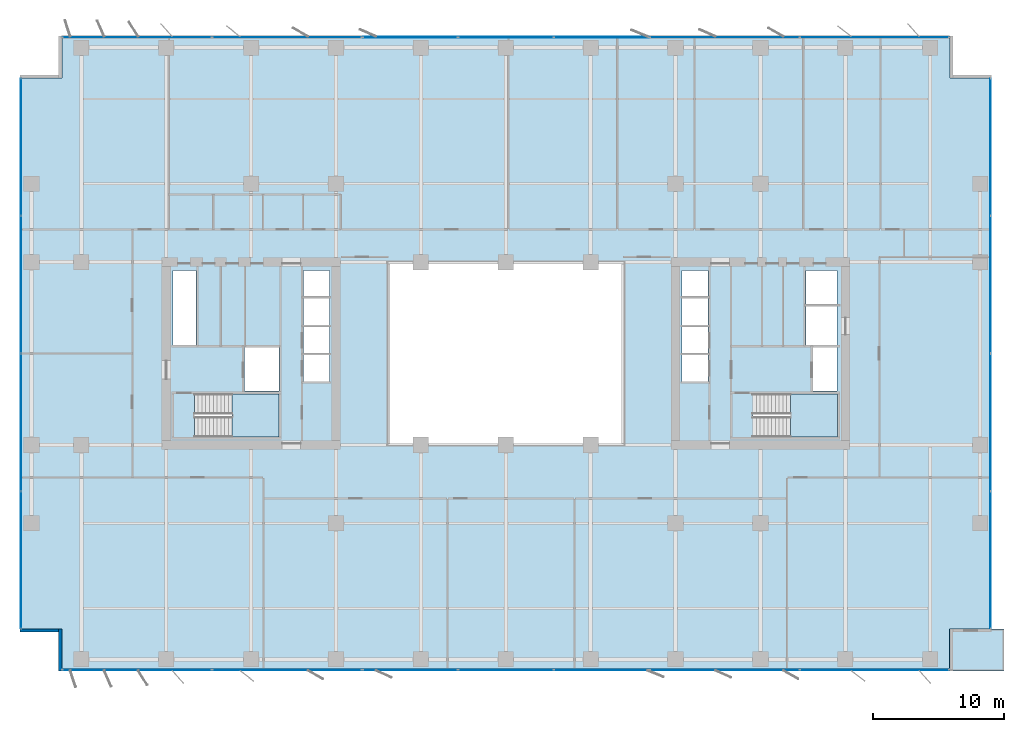
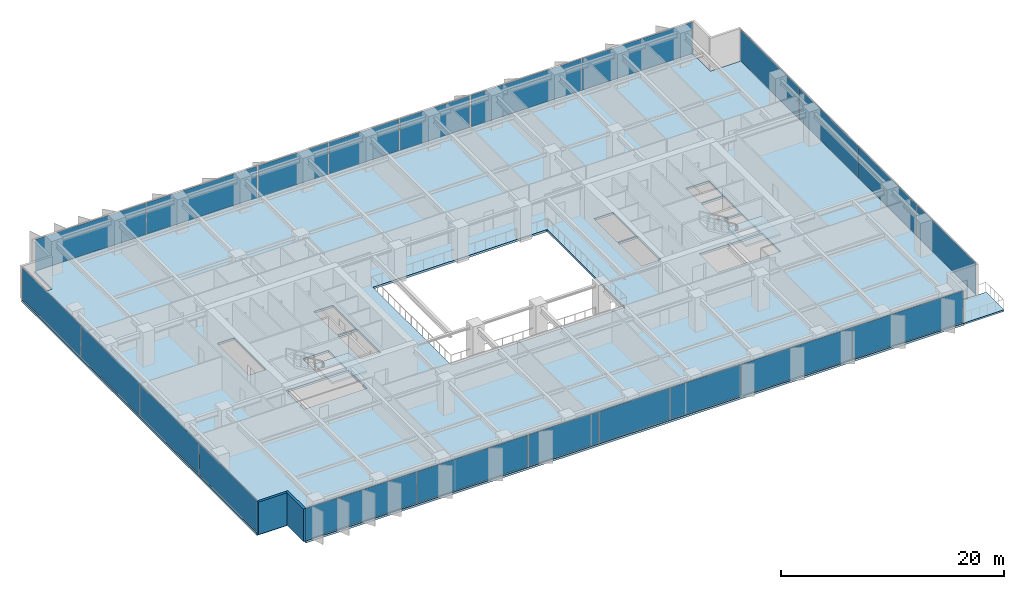
# One storey, part 12 of 20: 22 plates, 4 slabs, 2 walls, 10 elements without a shape of their own.
"""IFC4 building model written with IfcOpenShell, lengths in metres."""

from ifc_helpers import new_model, si_unit, direction, frame, frame_2d, origin, origin_2d, place, context, subcontext, project, spatial, polyline, rectangle, outline, extrude, material, layer, layer_set, type_object, element, aggregate, save


model = new_model("IFC4")

# Units and contexts
model_context = context("Model", 3, precision=1e-05, world=origin(), true_north=direction((0.0, 1.0)))
body_context = subcontext(model_context, "Body", "Model", "MODEL_VIEW")
ifc_project = project(units=[si_unit("LENGTHUNIT", "METRE"), si_unit("AREAUNIT", "SQUARE_METRE"), si_unit("VOLUMEUNIT", "CUBIC_METRE"), si_unit("PLANEANGLEUNIT", "RADIAN"), si_unit("MASSUNIT", "GRAM", prefix="KILO")], contexts=[model_context])

# Site, building, storey
site_placement = place(None, origin())
site = spatial("IfcSite", under=ifc_project, at=site_placement, CompositionType="ELEMENT")
building_placement = place(site_placement, origin())
building = spatial("IfcBuilding", under=site, at=building_placement, Name="Putna Gate Headquarters", CompositionType="ELEMENT")
storey_placement = place(building_placement, frame((0.0, 0.0, 108.800048828125)))
storey = spatial("IfcBuildingStorey", under=building, at=storey_placement, Name="L26", CompositionType="ELEMENT", Elevation=108.800048828125)

# Stair, slab
ifc_material_1 = material(Name="Concrete C40/50", Category="concrete")
stair_type_1 = type_object("IfcStairType", Name="STAIR-ST1", PredefinedType="HALF_TURN_STAIR", material=ifc_material_1)
stair_1_placement = place(storey_placement, origin())
stair_1 = element("IfcStair", 1, at=stair_1_placement, inside=storey, type_object=stair_type_1, Name="L26 West Core Exit Stair ST1", PredefinedType="HALF_TURN_STAIR")
ifc_layer_1 = layer(ifc_material_1, 0.199951171875)
ifc_layer_set_1 = layer_set([ifc_layer_1], Name="Concrete C40/50")
slab_type_1 = type_object("IfcSlabType", Name="LANDING-ST1", PredefinedType="LANDING", material=ifc_layer_set_1)
slab_1_placement = place(storey_placement, frame((0.0, 0.0, 1.699951171875)))
slab_1 = element("IfcSlab", 2, at=slab_1_placement, type_object=slab_type_1, Name="ST1 landing 1", PredefinedType="LANDING", context=body_context, shape_type="SweptSolid", body=[
    extrude(outline(polyline([(18.050048828125, 19.60009765625), (21.64990234375, 19.60009765625), (21.64990234375, 22.89990234375), (18.050048828125, 22.89990234375), (18.050048828125, 19.60009765625)])), origin(), (0.0, 0.0, 1.0), 0.199951171875),
])
aggregate(stair_1, [slab_1])

stair_type_2 = type_object("IfcStairType", Name="STAIR-ST2", PredefinedType="HALF_TURN_STAIR", material=ifc_material_1)
stair_2_placement = place(storey_placement, origin())
stair_2 = element("IfcStair", 3, at=stair_2_placement, inside=storey, type_object=stair_type_2, Name="L26 East Core Exit Stair ST2", PredefinedType="HALF_TURN_STAIR")
ifc_layer_2 = layer(ifc_material_1, 0.199951171875)
ifc_layer_set_2 = layer_set([ifc_layer_2], Name="Concrete C40/50")
slab_type_2 = type_object("IfcSlabType", Name="LANDING-ST2", PredefinedType="LANDING", material=ifc_layer_set_2)
slab_2_placement = place(storey_placement, frame((0.0, 0.0, 1.699951171875)))
slab_2 = element("IfcSlab", 4, at=slab_2_placement, type_object=slab_type_2, Name="ST2 landing 1", PredefinedType="LANDING", context=body_context, shape_type="SweptSolid", body=[
    extrude(outline(polyline([(60.800048828125, 19.60009765625), (64.39990234375, 19.60009765625), (64.39990234375, 22.89990234375), (60.800048828125, 22.89990234375), (60.800048828125, 19.60009765625)])), origin(), (0.0, 0.0, 1.0), 0.199951171875),
])
aggregate(stair_2, [slab_2])

# Curtain wall, plates
ifc_material_2 = material(Name="Anodised bronze aluminium curtain wall", Category="aluminium")
ifc_layer_3 = layer(ifc_material_2, 0.159912109375)
ifc_layer_set_3 = layer_set([ifc_layer_3], Name="Anodised bronze aluminium curtain wall")
curtain_wall_type_1 = type_object("IfcCurtainWallType", Name="CW-SYS-Z2", PredefinedType="USERDEFINED", material=ifc_layer_set_3)
curtain_wall_1_placement = place(storey_placement, origin())
curtain_wall_1 = element("IfcCurtainWall", 5, at=curtain_wall_1_placement, inside=storey, type_object=curtain_wall_type_1, Name="L26 South West Curtain Wall", ObjectType="STICK CURTAIN WALL", PredefinedType="USERDEFINED")
ifc_material_3 = material(Name="Solar-control triple low-E glass", Category="glass")
ifc_layer_4 = layer(ifc_material_3, 0.030029296875)
ifc_layer_set_4 = layer_set([ifc_layer_4], Name="Solar-control triple low-E glass")
plate_type_1 = type_object("IfcPlateType", Name="PAN-CWP-2", PredefinedType="CURTAIN_PANEL", material=ifc_layer_set_4)
plate_1_placement = place(storey_placement, frame((10.766357421875, 1.780029296875, 0.06494140625), z_axis=(0.0, 0.0, 1.0), x_axis=(1.0, 0.0, 0.0)))
plate_1 = element("IfcPlate", 6, at=plate_1_placement, type_object=plate_type_1, Name="CWS-2 panel 1.1", PredefinedType="CURTAIN_PANEL", context=body_context, shape_type="SweptSolid", body=[
    extrude(rectangle(XDim=11.402587890625, YDim=0.030029296875, at=origin_2d()), origin(), (0.0, 0.0, 1.0), 3.43505859375),
])
plate_2_placement = place(storey_placement, frame((22.233642578125, 1.780029296875, 0.06494140625), z_axis=(0.0, 0.0, 1.0), x_axis=(1.0, 0.0, 0.0)))
plate_2 = element("IfcPlate", 7, at=plate_2_placement, type_object=plate_type_1, Name="CWS-2 panel 2.1", PredefinedType="CURTAIN_PANEL", context=body_context, shape_type="SweptSolid", body=[
    extrude(rectangle(XDim=11.402587890625, YDim=0.030029296875, at=origin_2d()), origin(), (0.0, 0.0, 1.0), 3.43505859375),
])
aggregate(curtain_wall_1, [plate_1, plate_2])

curtain_wall_2_placement = place(storey_placement, origin())
curtain_wall_2 = element("IfcCurtainWall", 8, at=curtain_wall_2_placement, inside=storey, type_object=curtain_wall_type_1, Name="L26 South East Curtain Wall", ObjectType="STICK CURTAIN WALL", PredefinedType="USERDEFINED")
plate_3_placement = place(storey_placement, frame((55.766357421875, 1.780029296875, 0.06494140625), z_axis=(0.0, 0.0, 1.0), x_axis=(1.0, 0.0, 0.0)))
plate_3 = element("IfcPlate", 9, at=plate_3_placement, type_object=plate_type_1, Name="CWS-2 panel 1.1", PredefinedType="CURTAIN_PANEL", context=body_context, shape_type="SweptSolid", body=[
    extrude(rectangle(XDim=11.402587890625, YDim=0.030029296875, at=origin_2d()), origin(), (0.0, 0.0, 1.0), 3.43505859375),
])
plate_4_placement = place(storey_placement, frame((67.233642578125, 1.780029296875, 0.06494140625), z_axis=(0.0, 0.0, 1.0), x_axis=(1.0, 0.0, 0.0)))
plate_4 = element("IfcPlate", 10, at=plate_4_placement, type_object=plate_type_1, Name="CWS-2 panel 2.1", PredefinedType="CURTAIN_PANEL", context=body_context, shape_type="SweptSolid", body=[
    extrude(rectangle(XDim=11.402587890625, YDim=0.030029296875, at=origin_2d()), origin(), (0.0, 0.0, 1.0), 3.43505859375),
])
aggregate(curtain_wall_2, [plate_3, plate_4])

curtain_wall_3_placement = place(storey_placement, origin())
curtain_wall_3 = element("IfcCurtainWall", 11, at=curtain_wall_3_placement, inside=storey, type_object=curtain_wall_type_1, Name="L26 North West Curtain Wall", ObjectType="STICK CURTAIN WALL", PredefinedType="USERDEFINED")
plate_5_placement = place(storey_placement, frame((10.766357421875, 50.219970703125, 0.06494140625), z_axis=(0.0, 0.0, 1.0), x_axis=(1.0, 0.0, 0.0)))
plate_5 = element("IfcPlate", 12, at=plate_5_placement, type_object=plate_type_1, Name="CWS-2 panel 1.1", PredefinedType="CURTAIN_PANEL", context=body_context, shape_type="SweptSolid", body=[
    extrude(rectangle(XDim=11.402587890625, YDim=0.030029296875, at=origin_2d()), origin(), (0.0, 0.0, 1.0), 3.43505859375),
])
plate_6_placement = place(storey_placement, frame((22.233642578125, 50.219970703125, 0.06494140625), z_axis=(0.0, 0.0, 1.0), x_axis=(1.0, 0.0, 0.0)))
plate_6 = element("IfcPlate", 13, at=plate_6_placement, type_object=plate_type_1, Name="CWS-2 panel 2.1", PredefinedType="CURTAIN_PANEL", context=body_context, shape_type="SweptSolid", body=[
    extrude(rectangle(XDim=11.402587890625, YDim=0.030029296875, at=origin_2d()), origin(), (0.0, 0.0, 1.0), 3.43505859375),
])
aggregate(curtain_wall_3, [plate_5, plate_6])

curtain_wall_4_placement = place(storey_placement, origin())
curtain_wall_4 = element("IfcCurtainWall", 14, at=curtain_wall_4_placement, inside=storey, type_object=curtain_wall_type_1, Name="L26 North East Curtain Wall", ObjectType="STICK CURTAIN WALL", PredefinedType="USERDEFINED")
plate_7_placement = place(storey_placement, frame((55.766357421875, 50.219970703125, 0.06494140625), z_axis=(0.0, 0.0, 1.0), x_axis=(1.0, 0.0, 0.0)))
plate_7 = element("IfcPlate", 15, at=plate_7_placement, type_object=plate_type_1, Name="CWS-2 panel 1.1", PredefinedType="CURTAIN_PANEL", context=body_context, shape_type="SweptSolid", body=[
    extrude(rectangle(XDim=11.402587890625, YDim=0.030029296875, at=origin_2d()), origin(), (0.0, 0.0, 1.0), 3.43505859375),
])
plate_8_placement = place(storey_placement, frame((67.233642578125, 50.219970703125, 0.06494140625), z_axis=(0.0, 0.0, 1.0), x_axis=(1.0, 0.0, 0.0)))
plate_8 = element("IfcPlate", 16, at=plate_8_placement, type_object=plate_type_1, Name="CWS-2 panel 2.1", PredefinedType="CURTAIN_PANEL", context=body_context, shape_type="SweptSolid", body=[
    extrude(rectangle(XDim=11.402587890625, YDim=0.030029296875, at=origin_2d()), origin(), (0.0, 0.0, 1.0), 3.43505859375),
])
aggregate(curtain_wall_4, [plate_7, plate_8])

curtain_wall_5_placement = place(storey_placement, origin())
curtain_wall_5 = element("IfcCurtainWall", 17, at=curtain_wall_5_placement, inside=storey, type_object=curtain_wall_type_1, Name="L26 West Curtain Wall", ObjectType="STICK CURTAIN WALL", PredefinedType="USERDEFINED")
plate_9_placement = place(storey_placement, frame((1.8798828125, 10.191162109375, 0.06494140625), z_axis=(0.0, 0.0, 1.0), x_axis=(0.0, 1.0, 0.0)))
plate_9 = element("IfcPlate", 18, at=plate_9_placement, type_object=plate_type_1, Name="CWS-2 panel 1.1", PredefinedType="CURTAIN_PANEL", context=body_context, shape_type="SweptSolid", body=[
    extrude(rectangle(XDim=10.452392578125, YDim=0.030029296875, at=origin_2d()), origin(), (0.0, 0.0, 1.0), 3.43505859375),
])
plate_10_placement = place(storey_placement, frame((1.8798828125, 20.72509765625, 0.06494140625), z_axis=(0.0, 0.0, 1.0), x_axis=(0.0, 1.0, 0.0)))
plate_10 = element("IfcPlate", 19, at=plate_10_placement, type_object=plate_type_1, Name="CWS-2 panel 2.1", PredefinedType="CURTAIN_PANEL", context=body_context, shape_type="SweptSolid", body=[
    extrude(rectangle(XDim=10.485107421875, YDim=0.030029296875, at=origin_2d()), origin(), (0.0, 0.0, 1.0), 3.43505859375),
])
plate_11_placement = place(storey_placement, frame((1.8798828125, 31.27490234375, 0.06494140625), z_axis=(0.0, 0.0, 1.0), x_axis=(0.0, 1.0, 0.0)))
plate_11 = element("IfcPlate", 20, at=plate_11_placement, type_object=plate_type_1, Name="CWS-2 panel 3.1", PredefinedType="CURTAIN_PANEL", context=body_context, shape_type="SweptSolid", body=[
    extrude(rectangle(XDim=10.485107421875, YDim=0.030029296875, at=origin_2d()), origin(), (0.0, 0.0, 1.0), 3.43505859375),
])
plate_12_placement = place(storey_placement, frame((1.8798828125, 41.808837890625, 0.06494140625), z_axis=(0.0, 0.0, 1.0), x_axis=(0.0, 1.0, 0.0)))
plate_12 = element("IfcPlate", 21, at=plate_12_placement, type_object=plate_type_1, Name="CWS-2 panel 4.1", PredefinedType="CURTAIN_PANEL", context=body_context, shape_type="SweptSolid", body=[
    extrude(rectangle(XDim=10.452392578125, YDim=0.030029296875, at=origin_2d()), origin(), (0.0, 0.0, 1.0), 3.43505859375),
])
aggregate(curtain_wall_5, [plate_9, plate_10, plate_11, plate_12])

curtain_wall_6_placement = place(storey_placement, origin())
curtain_wall_6 = element("IfcCurtainWall", 22, at=curtain_wall_6_placement, inside=storey, type_object=curtain_wall_type_1, Name="L26 East Curtain Wall", ObjectType="STICK CURTAIN WALL", PredefinedType="USERDEFINED")
plate_13_placement = place(storey_placement, frame((76.1201171875, 10.191162109375, 0.06494140625), z_axis=(0.0, 0.0, 1.0), x_axis=(0.0, 1.0, 0.0)))
plate_13 = element("IfcPlate", 23, at=plate_13_placement, type_object=plate_type_1, Name="CWS-2 panel 1.1", PredefinedType="CURTAIN_PANEL", context=body_context, shape_type="SweptSolid", body=[
    extrude(rectangle(XDim=10.452392578125, YDim=0.030029296875, at=origin_2d()), origin(), (0.0, 0.0, 1.0), 3.43505859375),
])
plate_14_placement = place(storey_placement, frame((76.1201171875, 20.72509765625, 0.06494140625), z_axis=(0.0, 0.0, 1.0), x_axis=(0.0, 1.0, 0.0)))
plate_14 = element("IfcPlate", 24, at=plate_14_placement, type_object=plate_type_1, Name="CWS-2 panel 2.1", PredefinedType="CURTAIN_PANEL", context=body_context, shape_type="SweptSolid", body=[
    extrude(rectangle(XDim=10.485107421875, YDim=0.030029296875, at=origin_2d()), origin(), (0.0, 0.0, 1.0), 3.43505859375),
])
plate_15_placement = place(storey_placement, frame((76.1201171875, 31.27490234375, 0.06494140625), z_axis=(0.0, 0.0, 1.0), x_axis=(0.0, 1.0, 0.0)))
plate_15 = element("IfcPlate", 25, at=plate_15_placement, type_object=plate_type_1, Name="CWS-2 panel 3.1", PredefinedType="CURTAIN_PANEL", context=body_context, shape_type="SweptSolid", body=[
    extrude(rectangle(XDim=10.485107421875, YDim=0.030029296875, at=origin_2d()), origin(), (0.0, 0.0, 1.0), 3.43505859375),
])
plate_16_placement = place(storey_placement, frame((76.1201171875, 41.808837890625, 0.06494140625), z_axis=(0.0, 0.0, 1.0), x_axis=(0.0, 1.0, 0.0)))
plate_16 = element("IfcPlate", 26, at=plate_16_placement, type_object=plate_type_1, Name="CWS-2 panel 4.1", PredefinedType="CURTAIN_PANEL", context=body_context, shape_type="SweptSolid", body=[
    extrude(rectangle(XDim=10.452392578125, YDim=0.030029296875, at=origin_2d()), origin(), (0.0, 0.0, 1.0), 3.43505859375),
])
aggregate(curtain_wall_6, [plate_13, plate_14, plate_15, plate_16])

ifc_layer_5 = layer(ifc_material_2, 0.179931640625)
ifc_layer_set_5 = layer_set([ifc_layer_5], Name="Anodised bronze aluminium curtain wall")
curtain_wall_type_2 = type_object("IfcCurtainWallType", Name="CW-SYS-ATR", PredefinedType="USERDEFINED", material=ifc_layer_set_5)
curtain_wall_7_placement = place(storey_placement, origin())
curtain_wall_7 = element("IfcCurtainWall", 27, at=curtain_wall_7_placement, inside=storey, type_object=curtain_wall_type_2, Name="L26 South Atrium Clear Glazing", ObjectType="ATRIUM GLAZING", PredefinedType="USERDEFINED")
ifc_material_4 = material(Name="Clear low-iron triple glazing", Category="glass")
ifc_layer_6 = layer(ifc_material_4, 0.0400390625)
ifc_layer_set_6 = layer_set([ifc_layer_6], Name="Clear low-iron triple glazing")
plate_type_2 = type_object("IfcPlateType", Name="PAN-CWP-AT", PredefinedType="CURTAIN_PANEL", material=ifc_layer_set_6)
plate_17_placement = place(storey_placement, frame((31.68408203125, 1.780029296875, 0.06982421875), z_axis=(0.0, 0.0, 1.0), x_axis=(1.0, 0.0, 0.0)))
plate_17 = element("IfcPlate", 28, at=plate_17_placement, type_object=plate_type_2, Name="CWS-AT panel 1.1", PredefinedType="CURTAIN_PANEL", context=body_context, shape_type="SweptSolid", body=[
    extrude(rectangle(XDim=7.228271484375, YDim=0.0400390625, at=origin_2d()), origin(), (0.0, 0.0, 1.0), 3.425048828125),
])
plate_18_placement = place(storey_placement, frame((39.0, 1.780029296875, 0.06982421875), z_axis=(0.0, 0.0, 1.0), x_axis=(1.0, 0.0, 0.0)))
plate_18 = element("IfcPlate", 29, at=plate_18_placement, type_object=plate_type_2, Name="CWS-AT panel 2.1", PredefinedType="CURTAIN_PANEL", context=body_context, shape_type="SweptSolid", body=[
    extrude(rectangle(XDim=7.263427734375, YDim=0.0400390625, at=origin_2d()), origin(), (0.0, 0.0, 1.0), 3.425048828125),
])
plate_19_placement = place(storey_placement, frame((46.31591796875, 1.780029296875, 0.06982421875), z_axis=(0.0, 0.0, 1.0), x_axis=(1.0, 0.0, 0.0)))
plate_19 = element("IfcPlate", 30, at=plate_19_placement, type_object=plate_type_2, Name="CWS-AT panel 3.1", PredefinedType="CURTAIN_PANEL", context=body_context, shape_type="SweptSolid", body=[
    extrude(rectangle(XDim=7.228271484375, YDim=0.0400390625, at=origin_2d()), origin(), (0.0, 0.0, 1.0), 3.425048828125),
])
aggregate(curtain_wall_7, [plate_17, plate_18, plate_19])

curtain_wall_8_placement = place(storey_placement, origin())
curtain_wall_8 = element("IfcCurtainWall", 31, at=curtain_wall_8_placement, inside=storey, type_object=curtain_wall_type_2, Name="L26 North Atrium Clear Glazing", ObjectType="ATRIUM GLAZING", PredefinedType="USERDEFINED")
plate_20_placement = place(storey_placement, frame((31.68408203125, 50.219970703125, 0.06982421875), z_axis=(0.0, 0.0, 1.0), x_axis=(1.0, 0.0, 0.0)))
plate_20 = element("IfcPlate", 32, at=plate_20_placement, type_object=plate_type_2, Name="CWS-AT panel 1.1", PredefinedType="CURTAIN_PANEL", context=body_context, shape_type="SweptSolid", body=[
    extrude(rectangle(XDim=7.228271484375, YDim=0.0400390625, at=origin_2d()), origin(), (0.0, 0.0, 1.0), 3.425048828125),
])
plate_21_placement = place(storey_placement, frame((39.0, 50.219970703125, 0.06982421875), z_axis=(0.0, 0.0, 1.0), x_axis=(1.0, 0.0, 0.0)))
plate_21 = element("IfcPlate", 33, at=plate_21_placement, type_object=plate_type_2, Name="CWS-AT panel 2.1", PredefinedType="CURTAIN_PANEL", context=body_context, shape_type="SweptSolid", body=[
    extrude(rectangle(XDim=7.263427734375, YDim=0.0400390625, at=origin_2d()), origin(), (0.0, 0.0, 1.0), 3.425048828125),
])
plate_22_placement = place(storey_placement, frame((46.31591796875, 50.219970703125, 0.06982421875), z_axis=(0.0, 0.0, 1.0), x_axis=(1.0, 0.0, 0.0)))
plate_22 = element("IfcPlate", 34, at=plate_22_placement, type_object=plate_type_2, Name="CWS-AT panel 3.1", PredefinedType="CURTAIN_PANEL", context=body_context, shape_type="SweptSolid", body=[
    extrude(rectangle(XDim=7.228271484375, YDim=0.0400390625, at=origin_2d()), origin(), (0.0, 0.0, 1.0), 3.425048828125),
])
aggregate(curtain_wall_8, [plate_20, plate_21, plate_22])

# Slabs
ifc_layer_7 = layer(ifc_material_1, 0.179931640625)
ifc_layer_set_7 = layer_set([ifc_layer_7], Name="Concrete C40/50")
slab_type_3 = type_object("IfcSlabType", Name="SLAB-TERRACE-180", PredefinedType="FLOOR", material=ifc_layer_set_7)
slab_3_placement = place(storey_placement, frame((0.0, 0.0, -0.179931640625)))
element("IfcSlab", 35, at=slab_3_placement, inside=storey, type_object=slab_type_3, Name="L26 Spiral Sky-Garden Terrace Slab (SE)", PredefinedType="FLOOR", context=body_context, shape_type="SweptSolid", body=[
    extrude(outline(polyline([(72.991943359375, 1.699951171875), (77.14990234375, 1.699951171875), (77.14990234375, 4.907958984375), (72.991943359375, 4.907958984375), (72.991943359375, 1.699951171875)])), origin(), (0.0, 0.0, 1.0), 0.179931640625),
])
ifc_layer_8 = layer(ifc_material_1, 0.235107421875)
ifc_layer_set_8 = layer_set([ifc_layer_8], Name="Concrete C40/50")
slab_type_4 = type_object("IfcSlabType", Name="SLAB-Z2-235", PredefinedType="FLOOR", material=ifc_layer_set_8)
slab_4_placement = place(storey_placement, frame((0.0, 0.0, -0.235107421875)))
element("IfcSlab", 36, at=slab_4_placement, inside=storey, type_object=slab_type_4, Name="L26 Composite Floor Slab", PredefinedType="FLOOR", context=body_context, shape_type="SweptSolid", body=[
    extrude(outline(polyline([(5.0, 1.699951171875), (73.0, 1.699951171875), (73.0, 4.89990234375), (76.199951171875, 4.89990234375), (76.199951171875, 47.10009765625), (73.0, 47.10009765625), (73.0, 50.300048828125), (5.0, 50.300048828125), (5.0, 47.10009765625), (1.800048828125, 47.10009765625), (1.800048828125, 4.89990234375), (5.0, 4.89990234375), (5.0, 1.699951171875)]), holes=[polyline([(15.1650390625, 19.60009765625), (21.64990234375, 19.60009765625), (21.64990234375, 22.89990234375), (15.1650390625, 22.89990234375), (15.1650390625, 19.60009765625)]), polyline([(57.9150390625, 19.60009765625), (64.39990234375, 19.60009765625), (64.39990234375, 22.89990234375), (57.9150390625, 22.89990234375), (57.9150390625, 19.60009765625)]), polyline([(13.52001953125, 26.659912109375), (15.280029296875, 26.659912109375), (15.280029296875, 32.35009765625), (13.52001953125, 32.35009765625), (13.52001953125, 26.659912109375)]), polyline([(61.969970703125, 29.780029296875), (64.35009765625, 29.780029296875), (64.35009765625, 32.35009765625), (61.969970703125, 32.35009765625), (61.969970703125, 29.780029296875)]), polyline([(18.97998046875, 23.1201171875), (21.6201171875, 23.1201171875), (21.6201171875, 26.4599609375), (18.97998046875, 26.4599609375), (18.97998046875, 23.1201171875)]), polyline([(62.52001953125, 23.1201171875), (64.35009765625, 23.1201171875), (64.35009765625, 26.4599609375), (62.52001953125, 26.4599609375), (62.52001953125, 23.1201171875)]), polyline([(61.969970703125, 26.659912109375), (64.35009765625, 26.659912109375), (64.35009765625, 29.6201171875), (61.969970703125, 29.6201171875), (61.969970703125, 26.659912109375)]), polyline([(23.5, 23.860107421875), (25.5, 23.860107421875), (25.5, 28.0400390625), (23.5, 28.0400390625), (23.5, 23.860107421875)]), polyline([(52.47998046875, 23.860107421875), (54.5, 23.860107421875), (54.5, 28.0400390625), (52.47998046875, 28.0400390625), (52.47998046875, 23.860107421875)]), polyline([(23.5, 28.199951171875), (25.5, 28.199951171875), (25.5, 32.35009765625), (23.5, 32.35009765625), (23.5, 28.199951171875)]), polyline([(52.47998046875, 28.199951171875), (54.5, 28.199951171875), (54.5, 32.35009765625), (52.47998046875, 32.35009765625), (52.47998046875, 28.199951171875)]), polyline([(30.0, 19.0), (48.0, 19.0), (48.0, 33.0), (30.0, 33.0), (30.0, 19.0)])]), origin(), (0.0, 0.0, 1.0), 0.235107421875),
])

# Walls
ifc_material_5 = material(Name="Precast concrete C40/50", Category="concrete")
ifc_layer_9 = layer(ifc_material_5, 0.239990234375)
ifc_layer_set_9 = layer_set([ifc_layer_9], Name="Precast concrete C40/50")
wall_type = type_object("IfcWallType", Name="WALL-EXT-TERR-240", PredefinedType="STANDARD", material=ifc_layer_set_9)
for number, where, z_axis, x_axis, name in (
    (37, (4.8798828125, 1.699951171875, 0.0), (0.0, 0.0, 1.0), (0.0, 1.0, 0.0), "L26 Corner Notch Return Wall SW-V"),
    (38, (5.0, 4.780029296875, 0.0), (0.0, 0.0, 1.0), (-1.0, 0.0, 0.0), "L26 Corner Notch Return Wall SW-H"),
):
    element("IfcWall", number, at=place(storey_placement, frame(where, z_axis=z_axis, x_axis=x_axis)), inside=storey, type_object=wall_type, Name=name, PredefinedType="STANDARD", context=body_context, shape_type="SweptSolid", body=[
        extrude(rectangle(XDim=3.199951171875, YDim=0.239990234375, at=frame_2d((1.60009765625, 0.0))), origin(), (0.0, 0.0, 1.0), 3.56494140625),
    ])

save(model, "model.ifc")
